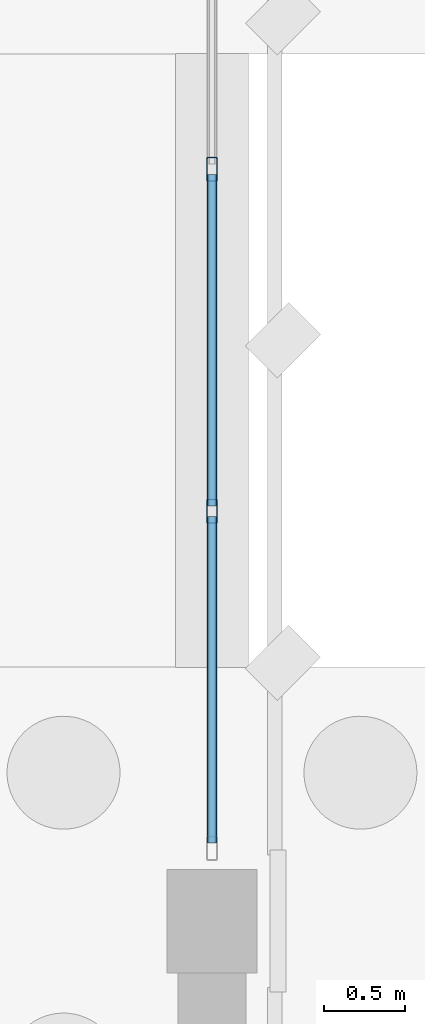
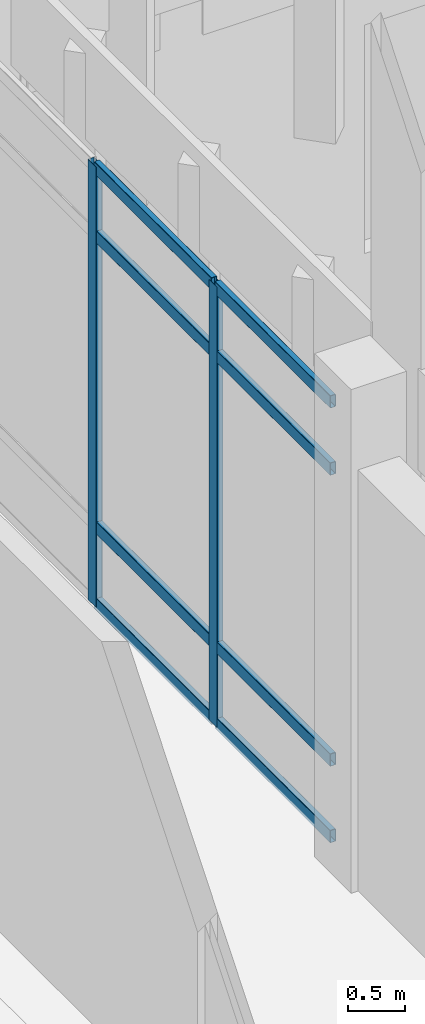
# One storey, part 40 of 109: 10 members, 1 element without a shape of its own.
"""IFC4 building model written with IfcOpenShell, lengths in metres."""

from ifc_helpers import new_model, si_unit, direction, frame, origin, origin_2d, place, context, subcontext, project, spatial, hollow_rectangle, extrude, material, material_profile, profile_set, type_object, element, aggregate, save


model = new_model("IFC4")

# Units and contexts
model_context = context("Model", 3, precision=1e-05, world=origin(), true_north=direction((0.0, 1.0)))
body_context = subcontext(model_context, "Body", "Model", "MODEL_VIEW")
ifc_project = project(units=[si_unit("LENGTHUNIT", "METRE"), si_unit("AREAUNIT", "SQUARE_METRE"), si_unit("VOLUMEUNIT", "CUBIC_METRE"), si_unit("PLANEANGLEUNIT", "RADIAN"), si_unit("MASSUNIT", "GRAM", prefix="KILO")], contexts=[model_context])

# Site, building, storey
site_placement = place(None, origin())
site = spatial("IfcSite", under=ifc_project, at=site_placement, CompositionType="ELEMENT")
building_placement = place(site_placement, origin())
building = spatial("IfcBuilding", under=site, at=building_placement, Name="Lusvemor Sports Hall", CompositionType="ELEMENT")
storey_placement = place(building_placement, origin())
storey = spatial("IfcBuildingStorey", under=building, at=storey_placement, Name="L00", CompositionType="ELEMENT", Elevation=0.0)

# Curtain wall, members
ifc_material_1 = material(Name="Thermally broken bronze-anodized aluminium", Category="aluminium")
curtain_wall_type = type_object("IfcCurtainWallType", Name="CW_WING_B", PredefinedType="NOTDEFINED", material=ifc_material_1)
curtain_wall_placement = place(storey_placement, origin())
curtain_wall = element("IfcCurtainWall", 1, at=curtain_wall_placement, inside=storey, type_object=curtain_wall_type, Name="Curtain Wall CW-L00-E-4-6", PredefinedType="NOTDEFINED")
ifc_material_2 = material(Name="Thermally broken bronze-anodized aluminium", Category="aluminium")
ifc_material_profile_1 = material_profile(ifc_material_2, hollow_rectangle(XDim=0.06494140625, YDim=0.14990234375, WallThickness=0.00390625, InnerFilletRadius=0.00390625, OuterFilletRadius=0.008056640625, at=origin_2d()), Name="CWMUL150x65x4")
ifc_profile_set_1 = profile_set([ifc_material_profile_1], Name="Thermally broken bronze-anodized aluminium")
member_type_1 = type_object("IfcMemberType", Name="CW_MUL_B", PredefinedType="MULLION", material=ifc_profile_set_1)
member_1_placement = place(storey_placement, frame((21.60009765625, 94.659912109375, 0.0), z_axis=(0.0, 0.0, 1.0), x_axis=(1.0, 0.0, 0.0)))
member_1 = element("IfcMember", 2, at=member_1_placement, type_object=member_type_1, Name="CW02 mullion 2", PredefinedType="MULLION", context=body_context, shape_type="SweptSolid", body=[
    extrude(hollow_rectangle(XDim=0.06494140625, YDim=0.14990234375, WallThickness=0.00390625, InnerFilletRadius=0.00390625, OuterFilletRadius=0.008056640625, at=origin_2d()), origin(), (0.0, 0.0, 1.0), 4.719970703125),
])
member_2_placement = place(storey_placement, frame((21.60009765625, 92.5400390625, 0.0), z_axis=(0.0, 0.0, 1.0), x_axis=(1.0, 0.0, 0.0)))
member_2 = element("IfcMember", 3, at=member_2_placement, type_object=member_type_1, Name="CW02 mullion 3", PredefinedType="MULLION", context=body_context, shape_type="SweptSolid", body=[
    extrude(hollow_rectangle(XDim=0.06494140625, YDim=0.14990234375, WallThickness=0.00390625, InnerFilletRadius=0.00390625, OuterFilletRadius=0.008056640625, at=origin_2d()), origin(), (0.0, 0.0, 1.0), 4.719970703125),
])
ifc_material_3 = material(Name="Thermally broken bronze-anodized aluminium", Category="aluminium")
ifc_material_profile_2 = material_profile(ifc_material_3, hollow_rectangle(XDim=0.06005859375, YDim=0.135009765625, WallThickness=0.00390625, InnerFilletRadius=0.00390625, OuterFilletRadius=0.008056640625, at=origin_2d()), Name="CWTRN135x60x4")
ifc_profile_set_2 = profile_set([ifc_material_profile_2], Name="Thermally broken bronze-anodized aluminium")
member_type_2 = type_object("IfcMemberType", Name="CW_TRN_B", PredefinedType="USERDEFINED", material=ifc_profile_set_2)
member_3_placement = place(storey_placement, frame((21.60009765625, 94.62744140625, 0.030029296875), z_axis=(0.0, -1.0, 0.0), x_axis=(1.0, 0.0, 0.0)))
member_3 = element("IfcMember", 4, at=member_3_placement, type_object=member_type_2, Name="CW02 transom 2.1", ObjectType="TRANSOM", PredefinedType="USERDEFINED", context=body_context, shape_type="SweptSolid", body=[
    extrude(hollow_rectangle(XDim=0.06005859375, YDim=0.135009765625, WallThickness=0.00390625, InnerFilletRadius=0.00390625, OuterFilletRadius=0.008056640625, at=origin_2d()), origin(), (0.0, 0.0, 1.0), 2.054931640625),
])
member_4_placement = place(storey_placement, frame((21.60009765625, 94.62744140625, 0.85009765625), z_axis=(0.0, -1.0, 0.0), x_axis=(1.0, 0.0, 0.0)))
member_4 = element("IfcMember", 5, at=member_4_placement, type_object=member_type_2, Name="CW02 transom 2.2", ObjectType="TRANSOM", PredefinedType="USERDEFINED", context=body_context, shape_type="SweptSolid", body=[
    extrude(hollow_rectangle(XDim=0.06005859375, YDim=0.135009765625, WallThickness=0.00390625, InnerFilletRadius=0.00390625, OuterFilletRadius=0.008056640625, at=origin_2d()), origin(), (0.0, 0.0, 1.0), 2.054931640625),
])
member_5_placement = place(storey_placement, frame((21.60009765625, 94.62744140625, 3.969970703125), z_axis=(0.0, -1.0, 0.0), x_axis=(1.0, 0.0, 0.0)))
member_5 = element("IfcMember", 6, at=member_5_placement, type_object=member_type_2, Name="CW02 transom 2.3", ObjectType="TRANSOM", PredefinedType="USERDEFINED", context=body_context, shape_type="SweptSolid", body=[
    extrude(hollow_rectangle(XDim=0.06005859375, YDim=0.135009765625, WallThickness=0.00390625, InnerFilletRadius=0.00390625, OuterFilletRadius=0.008056640625, at=origin_2d()), origin(), (0.0, 0.0, 1.0), 2.054931640625),
])
member_6_placement = place(storey_placement, frame((21.60009765625, 94.62744140625, 4.68994140625), z_axis=(0.0, -1.0, 0.0), x_axis=(1.0, 0.0, 0.0)))
member_6 = element("IfcMember", 7, at=member_6_placement, type_object=member_type_2, Name="CW02 transom 2.4", ObjectType="TRANSOM", PredefinedType="USERDEFINED", context=body_context, shape_type="SweptSolid", body=[
    extrude(hollow_rectangle(XDim=0.06005859375, YDim=0.135009765625, WallThickness=0.00390625, InnerFilletRadius=0.00390625, OuterFilletRadius=0.008056640625, at=origin_2d()), origin(), (0.0, 0.0, 1.0), 2.054931640625),
])
member_7_placement = place(storey_placement, frame((21.60009765625, 92.507568359375, 0.030029296875), z_axis=(0.0, -1.0, 0.0), x_axis=(1.0, 0.0, 0.0)))
member_7 = element("IfcMember", 8, at=member_7_placement, type_object=member_type_2, Name="CW02 transom 3.1", ObjectType="TRANSOM", PredefinedType="USERDEFINED", context=body_context, shape_type="SweptSolid", body=[
    extrude(hollow_rectangle(XDim=0.06005859375, YDim=0.135009765625, WallThickness=0.00390625, InnerFilletRadius=0.00390625, OuterFilletRadius=0.008056640625, at=origin_2d()), origin(), (0.0, 0.0, 1.0), 2.0224609375),
])
member_8_placement = place(storey_placement, frame((21.60009765625, 92.507568359375, 0.85009765625), z_axis=(0.0, -1.0, 0.0), x_axis=(1.0, 0.0, 0.0)))
member_8 = element("IfcMember", 9, at=member_8_placement, type_object=member_type_2, Name="CW02 transom 3.2", ObjectType="TRANSOM", PredefinedType="USERDEFINED", context=body_context, shape_type="SweptSolid", body=[
    extrude(hollow_rectangle(XDim=0.06005859375, YDim=0.135009765625, WallThickness=0.00390625, InnerFilletRadius=0.00390625, OuterFilletRadius=0.008056640625, at=origin_2d()), origin(), (0.0, 0.0, 1.0), 2.0224609375),
])
member_9_placement = place(storey_placement, frame((21.60009765625, 92.507568359375, 3.969970703125), z_axis=(0.0, -1.0, 0.0), x_axis=(1.0, 0.0, 0.0)))
member_9 = element("IfcMember", 10, at=member_9_placement, type_object=member_type_2, Name="CW02 transom 3.3", ObjectType="TRANSOM", PredefinedType="USERDEFINED", context=body_context, shape_type="SweptSolid", body=[
    extrude(hollow_rectangle(XDim=0.06005859375, YDim=0.135009765625, WallThickness=0.00390625, InnerFilletRadius=0.00390625, OuterFilletRadius=0.008056640625, at=origin_2d()), origin(), (0.0, 0.0, 1.0), 2.0224609375),
])
member_10_placement = place(storey_placement, frame((21.60009765625, 92.507568359375, 4.68994140625), z_axis=(0.0, -1.0, 0.0), x_axis=(1.0, 0.0, 0.0)))
member_10 = element("IfcMember", 11, at=member_10_placement, type_object=member_type_2, Name="CW02 transom 3.4", ObjectType="TRANSOM", PredefinedType="USERDEFINED", context=body_context, shape_type="SweptSolid", body=[
    extrude(hollow_rectangle(XDim=0.06005859375, YDim=0.135009765625, WallThickness=0.00390625, InnerFilletRadius=0.00390625, OuterFilletRadius=0.008056640625, at=origin_2d()), origin(), (0.0, 0.0, 1.0), 2.0224609375),
])
aggregate(curtain_wall, [member_1, member_2, member_3, member_4, member_5, member_6, member_7, member_8, member_9, member_10])

save(model, "model.ifc")
